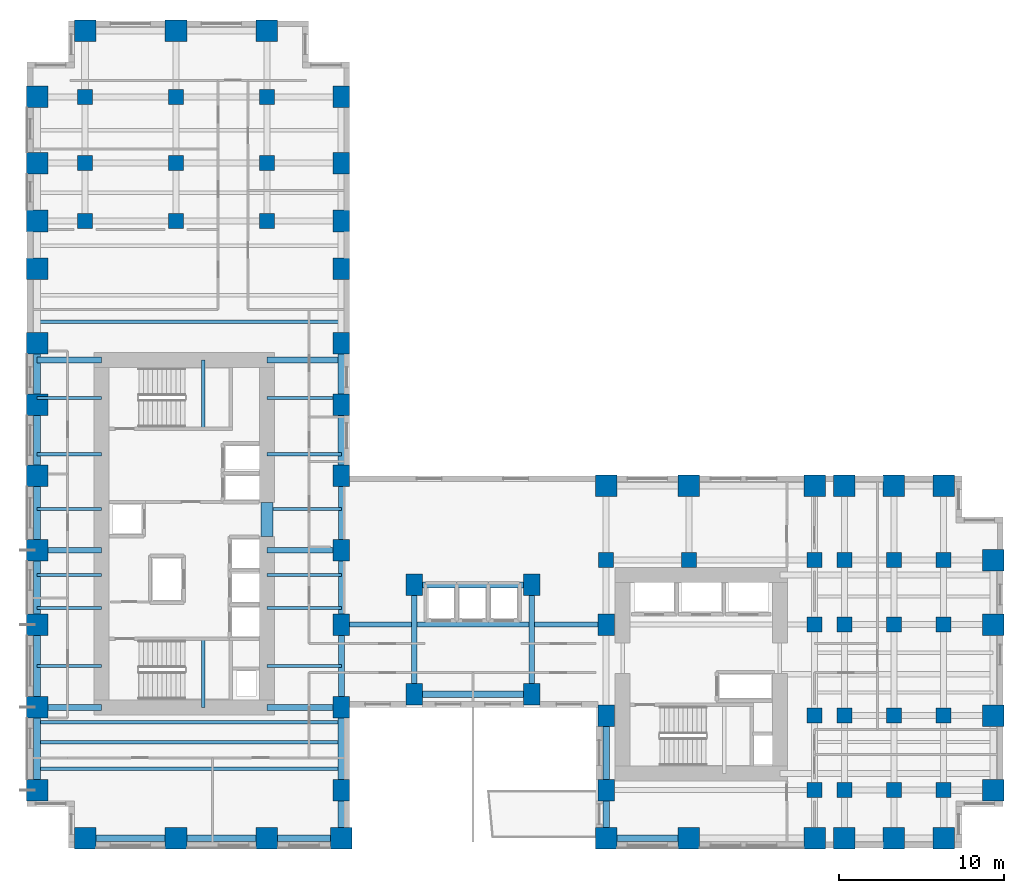
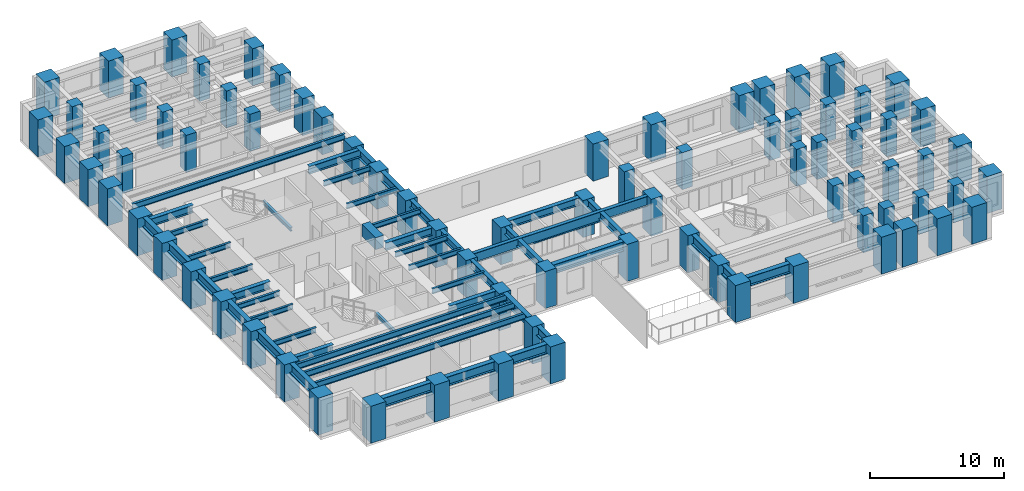
# One storey, part 1 of 13: 79 columns, 49 beams.
"""IFC4 building model written with IfcOpenShell, lengths in metres."""

from ifc_helpers import new_model, si_unit, direction, frame, origin, origin_2d, place, context, subcontext, project, spatial, rectangle, i_section, extrude, source, transform, mapped, material, material_profile, profile_set, type_object, element, save


model = new_model("IFC4")

# Units and contexts
model_context = context("Model", 3, precision=1e-05, world=origin(), true_north=direction((0.0, 1.0)))
body_context = subcontext(model_context, "Body", "Model", "MODEL_VIEW")
ifc_project = project(units=[si_unit("LENGTHUNIT", "METRE"), si_unit("AREAUNIT", "SQUARE_METRE"), si_unit("VOLUMEUNIT", "CUBIC_METRE"), si_unit("PLANEANGLEUNIT", "RADIAN"), si_unit("MASSUNIT", "GRAM", prefix="KILO")], contexts=[model_context])

# Site, building, storey
site_placement = place(None, origin())
site = spatial("IfcSite", under=ifc_project, at=site_placement, CompositionType="ELEMENT")
building_placement = place(site_placement, origin())
building = spatial("IfcBuilding", under=site, at=building_placement, Name="Kharzan Plaza Tower", CompositionType="ELEMENT")
storey_placement = place(building_placement, frame((0.0, 0.0, 47.699951171875)))
storey = spatial("IfcBuildingStorey", under=building, at=storey_placement, Name="L12", CompositionType="ELEMENT", Elevation=47.699951171875)

# Columns
ifc_material_1 = material(Name="Concrete C50/60", Category="concrete")
ifc_material_profile_1 = material_profile(ifc_material_1, rectangle(XDim=0.89990234375, YDim=0.89990234375, at=origin_2d()), Name="RC-IC900x900")
ifc_profile_set_1 = profile_set([ifc_material_profile_1], Name="Concrete C50/60")
column_type_1 = type_object("IfcColumnType", Name="COL-IC900", PredefinedType="COLUMN", material=ifc_profile_set_1)
shared_shape_1 = source(origin(), body_context, "Body", "SweptSolid", [
    extrude(rectangle(XDim=0.89990234375, YDim=0.89990234375, at=origin_2d()), origin(), (0.0, 0.0, 1.0), 3.380126953125),
])
for number, where, z_axis, x_axis, name in (
    (1, (47.60009765625, 13.5, 0.0), (0.0, 0.0, 1.0), (1.0, 0.0, 0.0), "L12 Structural Column TCBI-135"),
    (2, (47.60009765625, 3.5, 0.0), (0.0, 0.0, 1.0), (1.0, 0.0, 0.0), "L12 Structural Column TCBI-35"),
    (3, (47.60009765625, 8.0, 0.0), (0.0, 0.0, 1.0), (1.0, 0.0, 0.0), "L12 Structural Column TCBI-80"),
    (4, (35.0, 17.39990234375, 0.0), (0.0, 0.0, 1.0), (1.0, 0.0, 0.0), "L12 Structural Column TCBN-350-174"),
    (5, (40.0, 17.39990234375, 0.0), (0.0, 0.0, 1.0), (1.0, 0.0, 0.0), "L12 Structural Column TCBN-400-174"),
    (6, (47.60009765625, 17.39990234375, 0.0), (0.0, 0.0, 1.0), (1.0, 0.0, 0.0), "L12 Structural Column TCBN-476-174"),
    (7, (49.39990234375, 13.5, 0.0), (0.0, 0.0, 1.0), (1.0, 0.0, 0.0), "L12 Structural Column TCE-494-135"),
    (8, (49.39990234375, 17.39990234375, 0.0), (0.0, 0.0, 1.0), (1.0, 0.0, 0.0), "L12 Structural Column TCE-494-174"),
    (9, (49.39990234375, 3.5, 0.0), (0.0, 0.0, 1.0), (1.0, 0.0, 0.0), "L12 Structural Column TCE-494-35"),
    (10, (49.39990234375, 8.0, 0.0), (0.0, 0.0, 1.0), (1.0, 0.0, 0.0), "L12 Structural Column TCE-494-80"),
    (11, (52.39990234375, 13.5, 0.0), (0.0, 0.0, 1.0), (1.0, 0.0, 0.0), "L12 Structural Column TCE-524-135"),
    (12, (52.39990234375, 17.39990234375, 0.0), (0.0, 0.0, 1.0), (1.0, 0.0, 0.0), "L12 Structural Column TCE-524-174"),
    (13, (52.39990234375, 3.5, 0.0), (0.0, 0.0, 1.0), (1.0, 0.0, 0.0), "L12 Structural Column TCE-524-35"),
    (14, (52.39990234375, 8.0, 0.0), (0.0, 0.0, 1.0), (1.0, 0.0, 0.0), "L12 Structural Column TCE-524-80"),
    (15, (55.39990234375, 13.5, 0.0), (0.0, 0.0, 1.0), (1.0, 0.0, 0.0), "L12 Structural Column TCE-554-135"),
    (16, (55.39990234375, 17.39990234375, 0.0), (0.0, 0.0, 1.0), (1.0, 0.0, 0.0), "L12 Structural Column TCE-554-174"),
    (17, (55.39990234375, 3.5, 0.0), (0.0, 0.0, 1.0), (1.0, 0.0, 0.0), "L12 Structural Column TCE-554-35"),
    (18, (55.39990234375, 8.0, 0.0), (0.0, 0.0, 1.0), (1.0, 0.0, 0.0), "L12 Structural Column TCE-554-80"),
    (19, (14.5, 37.89990234375, 0.0), (0.0, 0.0, 1.0), (1.0, 0.0, 0.0), "L12 Structural Column TCN-145-379"),
    (20, (14.5, 41.39990234375, 0.0), (0.0, 0.0, 1.0), (1.0, 0.0, 0.0), "L12 Structural Column TCN-145-414"),
    (21, (14.5, 45.39990234375, 0.0), (0.0, 0.0, 1.0), (1.0, 0.0, 0.0), "L12 Structural Column TCN-145-454"),
    (22, (3.5, 37.89990234375, 0.0), (0.0, 0.0, 1.0), (1.0, 0.0, 0.0), "L12 Structural Column TCN-35-379"),
    (23, (3.5, 41.39990234375, 0.0), (0.0, 0.0, 1.0), (1.0, 0.0, 0.0), "L12 Structural Column TCN-35-414"),
    (24, (3.5, 45.39990234375, 0.0), (0.0, 0.0, 1.0), (1.0, 0.0, 0.0), "L12 Structural Column TCN-35-454"),
    (25, (9.0, 37.89990234375, 0.0), (0.0, 0.0, 1.0), (1.0, 0.0, 0.0), "L12 Structural Column TCN-90-379"),
    (26, (9.0, 41.39990234375, 0.0), (0.0, 0.0, 1.0), (1.0, 0.0, 0.0), "L12 Structural Column TCN-90-414"),
    (27, (9.0, 45.39990234375, 0.0), (0.0, 0.0, 1.0), (1.0, 0.0, 0.0), "L12 Structural Column TCN-90-454"),
):
    element("IfcColumn", number, at=place(storey_placement, frame(where, z_axis=z_axis, x_axis=x_axis)), inside=storey, type_object=column_type_1, Name=name, PredefinedType="COLUMN", context=body_context, shape_type="MappedRepresentation", body=[
        mapped(shared_shape_1, transform((0.0, 0.0, 0.0), x_axis=(1.0, 0.0, 0.0), y_axis=(0.0, 1.0, 0.0), z_axis=(0.0, 0.0, 1.0))),
    ])
ifc_material_2 = material(Name="Concrete C60/75", Category="concrete")
ifc_material_profile_2 = material_profile(ifc_material_2, rectangle(XDim=1.0, YDim=1.300048828125, at=origin_2d()), Name="RC-SC1300x1000")
ifc_profile_set_2 = profile_set([ifc_material_profile_2], Name="Concrete C60/75")
column_type_2 = type_object("IfcColumnType", Name="COL-SC1300", PredefinedType="COLUMN", material=ifc_profile_set_2)
shared_shape_2 = source(origin(), body_context, "Body", "SweptSolid", [
    extrude(rectangle(XDim=1.0, YDim=1.300048828125, at=origin_2d()), origin(), (0.0, 0.0, 1.0), 3.380126953125),
])
for number, where, z_axis, x_axis, name in (
    (28, (19.0, 13.5, 0.0), (0.0, 0.0, 1.0), (1.0, 0.0, 0.0), "L12 Structural Column TCA-135"),
    (29, (19.0, 18.0, 0.0), (0.0, 0.0, 1.0), (1.0, 0.0, 0.0), "L12 Structural Column TCA-180"),
    (30, (19.0, 22.5, 0.0), (0.0, 0.0, 1.0), (1.0, 0.0, 0.0), "L12 Structural Column TCA-225"),
    (31, (19.0, 26.800048828125, 0.0), (0.0, 0.0, 1.0), (1.0, 0.0, 0.0), "L12 Structural Column TCA-268"),
    (32, (19.0, 30.5, 0.0), (0.0, 0.0, 1.0), (1.0, 0.0, 0.0), "L12 Structural Column TCA-305"),
    (33, (19.0, 3.5, 0.0), (0.0, 0.0, 1.0), (1.0, 0.0, 0.0), "L12 Structural Column TCA-35"),
    (34, (19.0, 35.0, 0.0), (0.0, 0.0, 1.0), (1.0, 0.0, 0.0), "L12 Structural Column TCA-350"),
    (35, (19.0, 37.89990234375, 0.0), (0.0, 0.0, 1.0), (1.0, 0.0, 0.0), "L12 Structural Column TCA-379"),
    (36, (19.0, 41.39990234375, 0.0), (0.0, 0.0, 1.0), (1.0, 0.0, 0.0), "L12 Structural Column TCA-414"),
    (37, (19.0, 45.39990234375, 0.0), (0.0, 0.0, 1.0), (1.0, 0.0, 0.0), "L12 Structural Column TCA-454"),
    (38, (19.0, 8.5, 0.0), (0.0, 0.0, 1.0), (1.0, 0.0, 0.0), "L12 Structural Column TCA-85"),
    (39, (35.0, 13.5, 0.0), (0.0, 0.0, 1.0), (1.0, 0.0, 0.0), "L12 Structural Column TCBS-135"),
    (40, (35.0, 3.5, 0.0), (0.0, 0.0, 1.0), (1.0, 0.0, 0.0), "L12 Structural Column TCBS-35"),
    (41, (35.0, 8.0, 0.0), (0.0, 0.0, 1.0), (1.0, 0.0, 0.0), "L12 Structural Column TCBS-80"),
    (42, (23.39990234375, 15.89990234375, 0.0), (0.0, 0.0, 1.0), (1.0, 0.0, 0.0), "L12 Structural Column TCSP-234-159"),
    (43, (23.39990234375, 9.300048828125, 0.0), (0.0, 0.0, 1.0), (1.0, 0.0, 0.0), "L12 Structural Column TCSP-234-93"),
    (44, (30.5, 15.89990234375, 0.0), (0.0, 0.0, 1.0), (1.0, 0.0, 0.0), "L12 Structural Column TCSP-305-159"),
    (45, (30.5, 9.300048828125, 0.0), (0.0, 0.0, 1.0), (1.0, 0.0, 0.0), "L12 Structural Column TCSP-305-93"),
):
    element("IfcColumn", number, at=place(storey_placement, frame(where, z_axis=z_axis, x_axis=x_axis)), inside=storey, type_object=column_type_2, Name=name, PredefinedType="COLUMN", context=body_context, shape_type="MappedRepresentation", body=[
        mapped(shared_shape_2, transform((0.0, 0.0, 0.0), x_axis=(1.0, 0.0, 0.0), y_axis=(0.0, 1.0, 0.0), z_axis=(0.0, 0.0, 1.0))),
    ])
ifc_material_profile_3 = material_profile(ifc_material_2, rectangle(XDim=1.300048828125, YDim=1.300048828125, at=origin_2d()), Name="RC-TC1300x1300")
ifc_profile_set_3 = profile_set([ifc_material_profile_3], Name="Concrete C60/75")
column_type_3 = type_object("IfcColumnType", Name="COL-TC1300", PredefinedType="COLUMN", material=ifc_profile_set_3)
shared_shape_3 = source(origin(), body_context, "Body", "SweptSolid", [
    extrude(rectangle(XDim=1.300048828125, YDim=1.300048828125, at=origin_2d()), origin(), (0.0, 0.0, 1.0), 3.380126953125),
])
for number, where, z_axis, x_axis, name in (
    (46, (35.0, 21.89990234375, 0.0), (0.0, 0.0, 1.0), (1.0, 0.0, 0.0), "L12 Structural Column TCBN-350-219"),
    (47, (40.0, 21.89990234375, 0.0), (0.0, 0.0, 1.0), (1.0, 0.0, 0.0), "L12 Structural Column TCBN-400-219"),
    (48, (47.60009765625, 21.89990234375, 0.0), (0.0, 0.0, 1.0), (1.0, 0.0, 0.0), "L12 Structural Column TCBN-476-219"),
    (49, (49.39990234375, 21.89990234375, 0.0), (0.0, 0.0, 1.0), (1.0, 0.0, 0.0), "L12 Structural Column TCBN-494-219"),
    (50, (52.39990234375, 21.89990234375, 0.0), (0.0, 0.0, 1.0), (1.0, 0.0, 0.0), "L12 Structural Column TCBN-524-219"),
    (51, (55.39990234375, 21.89990234375, 0.0), (0.0, 0.0, 1.0), (1.0, 0.0, 0.0), "L12 Structural Column TCBN-554-219"),
    (52, (58.39990234375, 13.5, 0.0), (0.0, 0.0, 1.0), (1.0, 0.0, 0.0), "L12 Structural Column TCE-584-135"),
    (53, (58.39990234375, 17.39990234375, 0.0), (0.0, 0.0, 1.0), (1.0, 0.0, 0.0), "L12 Structural Column TCE-584-174"),
    (54, (58.39990234375, 3.5, 0.0), (0.0, 0.0, 1.0), (1.0, 0.0, 0.0), "L12 Structural Column TCE-584-35"),
    (55, (58.39990234375, 8.0, 0.0), (0.0, 0.0, 1.0), (1.0, 0.0, 0.0), "L12 Structural Column TCE-584-80"),
    (56, (14.5, 49.39990234375, 0.0), (0.0, 0.0, 1.0), (1.0, 0.0, 0.0), "L12 Structural Column TCN-145-494"),
    (57, (3.5, 49.39990234375, 0.0), (0.0, 0.0, 1.0), (1.0, 0.0, 0.0), "L12 Structural Column TCN-35-494"),
    (58, (9.0, 49.39990234375, 0.0), (0.0, 0.0, 1.0), (1.0, 0.0, 0.0), "L12 Structural Column TCN-90-494"),
    (59, (14.5, 0.60009765625, 0.0), (0.0, 0.0, 1.0), (1.0, 0.0, 0.0), "L12 Structural Column TCS-145"),
    (60, (19.0, 0.60009765625, 0.0), (0.0, 0.0, 1.0), (1.0, 0.0, 0.0), "L12 Structural Column TCS-190"),
    (61, (3.5, 0.60009765625, 0.0), (0.0, 0.0, 1.0), (1.0, 0.0, 0.0), "L12 Structural Column TCS-35"),
    (62, (35.0, 0.60009765625, 0.0), (0.0, 0.0, 1.0), (1.0, 0.0, 0.0), "L12 Structural Column TCS-350"),
    (63, (40.0, 0.60009765625, 0.0), (0.0, 0.0, 1.0), (1.0, 0.0, 0.0), "L12 Structural Column TCS-400"),
    (64, (47.60009765625, 0.60009765625, 0.0), (0.0, 0.0, 1.0), (1.0, 0.0, 0.0), "L12 Structural Column TCS-476"),
    (65, (49.39990234375, 0.60009765625, 0.0), (0.0, 0.0, 1.0), (1.0, 0.0, 0.0), "L12 Structural Column TCS-494"),
    (66, (52.39990234375, 0.60009765625, 0.0), (0.0, 0.0, 1.0), (1.0, 0.0, 0.0), "L12 Structural Column TCS-524"),
    (67, (55.39990234375, 0.60009765625, 0.0), (0.0, 0.0, 1.0), (1.0, 0.0, 0.0), "L12 Structural Column TCS-554"),
    (68, (9.0, 0.60009765625, 0.0), (0.0, 0.0, 1.0), (1.0, 0.0, 0.0), "L12 Structural Column TCS-90"),
    (69, (0.60009765625, 13.5, 0.0), (0.0, 0.0, 1.0), (1.0, 0.0, 0.0), "L12 Structural Column TCW-135"),
    (70, (0.60009765625, 18.0, 0.0), (0.0, 0.0, 1.0), (1.0, 0.0, 0.0), "L12 Structural Column TCW-180"),
    (71, (0.60009765625, 22.5, 0.0), (0.0, 0.0, 1.0), (1.0, 0.0, 0.0), "L12 Structural Column TCW-225"),
    (72, (0.60009765625, 26.800048828125, 0.0), (0.0, 0.0, 1.0), (1.0, 0.0, 0.0), "L12 Structural Column TCW-268"),
    (73, (0.60009765625, 30.5, 0.0), (0.0, 0.0, 1.0), (1.0, 0.0, 0.0), "L12 Structural Column TCW-305"),
    (74, (0.60009765625, 3.5, 0.0), (0.0, 0.0, 1.0), (1.0, 0.0, 0.0), "L12 Structural Column TCW-35"),
    (75, (0.60009765625, 35.0, 0.0), (0.0, 0.0, 1.0), (1.0, 0.0, 0.0), "L12 Structural Column TCW-350"),
    (76, (0.60009765625, 37.89990234375, 0.0), (0.0, 0.0, 1.0), (1.0, 0.0, 0.0), "L12 Structural Column TCW-379"),
    (77, (0.60009765625, 41.39990234375, 0.0), (0.0, 0.0, 1.0), (1.0, 0.0, 0.0), "L12 Structural Column TCW-414"),
    (78, (0.60009765625, 45.39990234375, 0.0), (0.0, 0.0, 1.0), (1.0, 0.0, 0.0), "L12 Structural Column TCW-454"),
    (79, (0.60009765625, 8.5, 0.0), (0.0, 0.0, 1.0), (1.0, 0.0, 0.0), "L12 Structural Column TCW-85"),
):
    element("IfcColumn", number, at=place(storey_placement, frame(where, z_axis=z_axis, x_axis=x_axis)), inside=storey, type_object=column_type_3, Name=name, PredefinedType="COLUMN", context=body_context, shape_type="MappedRepresentation", body=[
        mapped(shared_shape_3, transform((0.0, 0.0, 0.0), x_axis=(1.0, 0.0, 0.0), y_axis=(0.0, 1.0, 0.0), z_axis=(0.0, 0.0, 1.0))),
    ])

# Beams
ifc_material_profile_4 = material_profile(ifc_material_2, rectangle(XDim=0.699951171875, YDim=1.10009765625, at=origin_2d()), Name="RC-CB1100x700")
ifc_profile_set_4 = profile_set([ifc_material_profile_4], Name="Concrete C60/75")
beam_type_1 = type_object("IfcBeamType", Name="BM-RCCB1100", PredefinedType="LINTEL", material=ifc_profile_set_4)
shared_shape_4 = source(origin(), body_context, "Body", "SweptSolid", [
    extrude(rectangle(XDim=0.699951171875, YDim=1.10009765625, at=origin_2d()), origin(), (0.0, 0.0, 1.0), 2.059814453125),
])
beam_1_placement = place(storey_placement, frame((14.5, 18.820068359375, 2.830078125), z_axis=(0.0, 1.0, 0.0), x_axis=(-1.0, 0.0, 0.0)))
element("IfcBeam", 80, at=beam_1_placement, inside=storey, type_object=beam_type_1, Name="L12 CORE-A RC coupling beam CB1", PredefinedType="LINTEL", context=body_context, shape_type="MappedRepresentation", body=[
    mapped(shared_shape_4, transform((0.0, 0.0, 0.0), x_axis=(1.0, 0.0, 0.0), y_axis=(0.0, 1.0, 0.0), z_axis=(0.0, 0.0, 1.0))),
])
ifc_material_3 = material(Name="Steel S355", Category="steel")
ifc_material_profile_5 = material_profile(ifc_material_3, i_section(OverallWidth=0.205078125, OverallDepth=0.35400390625, WebThickness=0.009521484375, FlangeThickness=0.016845703125, at=origin_2d()), Name="W360x79")
ifc_profile_set_5 = profile_set([ifc_material_profile_5], Name="Steel S355")
beam_type_2 = type_object("IfcBeamType", Name="BM-LNT360", PredefinedType="LINTEL", material=ifc_profile_set_5)
shared_shape_5 = source(origin(), body_context, "Body", "SweptSolid", [
    extrude(i_section(OverallWidth=0.205078125, OverallDepth=0.35400390625, WebThickness=0.009521484375, FlangeThickness=0.016845703125, at=origin_2d()), origin(), (0.0, 0.0, 1.0), 4.155029296875),
])
for number, where, z_axis, x_axis, name in (
    (81, (10.64990234375, 8.5, 1.423095703125), (0.0, 1.0, 0.0), (-1.0, 0.0, 0.0), "L12 Stair ST-1 Half-Landing Beam"),
    (82, (10.64990234375, 25.344970703125, 1.423095703125), (0.0, 1.0, 0.0), (-1.0, 0.0, 0.0), "L12 Stair ST-2 Half-Landing Beam"),
):
    element("IfcBeam", number, at=place(storey_placement, frame(where, z_axis=z_axis, x_axis=x_axis)), inside=storey, type_object=beam_type_2, Name=name, PredefinedType="LINTEL", context=body_context, shape_type="MappedRepresentation", body=[
        mapped(shared_shape_5, transform((0.0, 0.0, 0.0), x_axis=(1.0, 0.0, 0.0), y_axis=(0.0, 1.0, 0.0), z_axis=(0.0, 0.0, 1.0))),
    ])
ifc_material_profile_6 = material_profile(ifc_material_3, i_section(OverallWidth=0.304931640625, OverallDepth=0.9189453125, WebThickness=0.017333984375, FlangeThickness=0.02783203125, at=origin_2d()), Name="W920x253")
ifc_profile_set_6 = profile_set([ifc_material_profile_6], Name="Steel S355")
beam_type_3 = type_object("IfcBeamType", Name="BM-FG920B", PredefinedType="BEAM", material=ifc_profile_set_6)
shared_shape_6 = source(origin(), body_context, "Body", "SweptSolid", [
    extrude(i_section(OverallWidth=0.304931640625, OverallDepth=0.9189453125, WebThickness=0.017333984375, FlangeThickness=0.02783203125, at=origin_2d()), origin(), (0.0, 0.0, 1.0), 16.0),
])
beam_2_placement = place(storey_placement, frame((19.0, 13.5, 2.920654296875), z_axis=(1.0, 0.0, 0.0), x_axis=(0.0, 1.0, 0.0)))
element("IfcBeam", 83, at=beam_2_placement, inside=storey, type_object=beam_type_3, Name="L12 Primary Floor Girder", PredefinedType="BEAM", context=body_context, shape_type="MappedRepresentation", body=[
    mapped(shared_shape_6, transform((0.0, 0.0, 0.0), x_axis=(1.0, 0.0, 0.0), y_axis=(0.0, 1.0, 0.0), z_axis=(0.0, 0.0, 1.0))),
])
ifc_material_profile_7 = material_profile(ifc_material_3, i_section(OverallWidth=0.35498046875, OverallDepth=0.695068359375, WebThickness=0.015380859375, FlangeThickness=0.02490234375, at=origin_2d()), Name="W690x217")
ifc_profile_set_7 = profile_set([ifc_material_profile_7], Name="Steel S355")
beam_type_4 = type_object("IfcBeamType", Name="BM-FG690A", PredefinedType="BEAM", material=ifc_profile_set_7)
shared_shape_7 = source(origin(), body_context, "Body", "SweptSolid", [
    extrude(i_section(OverallWidth=0.35498046875, OverallDepth=0.695068359375, WebThickness=0.015380859375, FlangeThickness=0.02490234375, at=origin_2d()), origin(), (0.0, 0.0, 1.0), 4.5),
])
for number, where, z_axis, x_axis, name in (
    (84, (14.5, 8.5, 3.032470703125), (1.0, 0.0, 0.0), (0.0, 1.0, 0.0), "L12 Core-A East Floor Girder 1"),
    (85, (14.5, 18.0, 3.032470703125), (1.0, 0.0, 0.0), (0.0, 1.0, 0.0), "L12 Core-A East Floor Girder 2"),
    (86, (14.5, 29.5, 3.032470703125), (1.0, 0.0, 0.0), (0.0, 1.0, 0.0), "L12 Core-A East Floor Girder 3"),
    (87, (19.0, 13.5, 3.032470703125), (0.0, 1.0, 0.0), (-1.0, 0.0, 0.0), "L12 Interior Frame Girder"),
    (88, (19.0, 18.0, 3.032470703125), (0.0, 1.0, 0.0), (-1.0, 0.0, 0.0), "L12 Interior Frame Girder"),
):
    element("IfcBeam", number, at=place(storey_placement, frame(where, z_axis=z_axis, x_axis=x_axis)), inside=storey, type_object=beam_type_4, Name=name, PredefinedType="BEAM", context=body_context, shape_type="MappedRepresentation", body=[
        mapped(shared_shape_7, transform((0.0, 0.0, 0.0), x_axis=(1.0, 0.0, 0.0), y_axis=(0.0, 1.0, 0.0), z_axis=(0.0, 0.0, 1.0))),
    ])
shared_shape_8 = source(origin(), body_context, "Body", "SweptSolid", [
    extrude(i_section(OverallWidth=0.35498046875, OverallDepth=0.695068359375, WebThickness=0.015380859375, FlangeThickness=0.02490234375, at=origin_2d()), origin(), (0.0, 0.0, 1.0), 3.89990234375),
])
for number, where, z_axis, x_axis, name in (
    (89, (0.60009765625, 8.5, 3.032470703125), (1.0, 0.0, 0.0), (0.0, 1.0, 0.0), "L12 Core-A West Floor Girder 1"),
    (90, (0.60009765625, 18.0, 3.032470703125), (1.0, 0.0, 0.0), (0.0, 1.0, 0.0), "L12 Core-A West Floor Girder 2"),
    (91, (0.60009765625, 29.5, 3.032470703125), (1.0, 0.0, 0.0), (0.0, 1.0, 0.0), "L12 Core-A West Floor Girder 3"),
):
    element("IfcBeam", number, at=place(storey_placement, frame(where, z_axis=z_axis, x_axis=x_axis)), inside=storey, type_object=beam_type_4, Name=name, PredefinedType="BEAM", context=body_context, shape_type="MappedRepresentation", body=[
        mapped(shared_shape_8, transform((0.0, 0.0, 0.0), x_axis=(1.0, 0.0, 0.0), y_axis=(0.0, 1.0, 0.0), z_axis=(0.0, 0.0, 1.0))),
    ])
shared_shape_9 = source(origin(), body_context, "Body", "SweptSolid", [
    extrude(i_section(OverallWidth=0.35498046875, OverallDepth=0.695068359375, WebThickness=0.015380859375, FlangeThickness=0.02490234375, at=origin_2d()), origin(), (0.0, 0.0, 1.0), 5.0),
])
beam_3_placement = place(storey_placement, frame((19.0, 8.5, 3.032470703125), z_axis=(0.0, 1.0, 0.0), x_axis=(-1.0, 0.0, 0.0)))
element("IfcBeam", 92, at=beam_3_placement, inside=storey, type_object=beam_type_4, Name="L12 Interior Frame Girder", PredefinedType="BEAM", context=body_context, shape_type="MappedRepresentation", body=[
    mapped(shared_shape_9, transform((0.0, 0.0, 0.0), x_axis=(1.0, 0.0, 0.0), y_axis=(0.0, 1.0, 0.0), z_axis=(0.0, 0.0, 1.0))),
])
shared_shape_10 = source(origin(), body_context, "Body", "SweptSolid", [
    extrude(i_section(OverallWidth=0.35498046875, OverallDepth=0.695068359375, WebThickness=0.015380859375, FlangeThickness=0.02490234375, at=origin_2d()), origin(), (0.0, 0.0, 1.0), 6.599853515625),
])
for number, where, z_axis, x_axis, name in (
    (93, (23.39990234375, 9.300048828125, 3.032470703125), (0.0, 1.0, 0.0), (-1.0, 0.0, 0.0), "L12 Interior Frame Girder"),
    (94, (30.5, 9.300048828125, 3.032470703125), (0.0, 1.0, 0.0), (-1.0, 0.0, 0.0), "L12 Interior Frame Girder"),
):
    element("IfcBeam", number, at=place(storey_placement, frame(where, z_axis=z_axis, x_axis=x_axis)), inside=storey, type_object=beam_type_4, Name=name, PredefinedType="BEAM", context=body_context, shape_type="MappedRepresentation", body=[
        mapped(shared_shape_10, transform((0.0, 0.0, 0.0), x_axis=(1.0, 0.0, 0.0), y_axis=(0.0, 1.0, 0.0), z_axis=(0.0, 0.0, 1.0))),
    ])
shared_shape_11 = source(origin(), body_context, "Body", "SweptSolid", [
    extrude(i_section(OverallWidth=0.35498046875, OverallDepth=0.695068359375, WebThickness=0.015380859375, FlangeThickness=0.02490234375, at=origin_2d()), origin(), (0.0, 0.0, 1.0), 7.10009765625),
])
beam_4_placement = place(storey_placement, frame((23.39990234375, 15.89990234375, 3.032470703125), z_axis=(1.0, 0.0, 0.0), x_axis=(0.0, 1.0, 0.0)))
element("IfcBeam", 95, at=beam_4_placement, inside=storey, type_object=beam_type_4, Name="L12 Primary Floor Girder", PredefinedType="BEAM", context=body_context, shape_type="MappedRepresentation", body=[
    mapped(shared_shape_11, transform((0.0, 0.0, 0.0), x_axis=(1.0, 0.0, 0.0), y_axis=(0.0, 1.0, 0.0), z_axis=(0.0, 0.0, 1.0))),
])
ifc_material_profile_8 = material_profile(ifc_material_3, i_section(OverallWidth=0.2099609375, OverallDepth=0.537109375, WebThickness=0.010986328125, FlangeThickness=0.017333984375, at=origin_2d()), Name="W530x101")
ifc_profile_set_8 = profile_set([ifc_material_profile_8], Name="Steel S355")
beam_type_5 = type_object("IfcBeamType", Name="BM-JST530B", PredefinedType="JOIST", material=ifc_profile_set_8)
shared_shape_12 = source(origin(), body_context, "Body", "SweptSolid", [
    extrude(i_section(OverallWidth=0.2099609375, OverallDepth=0.537109375, WebThickness=0.010986328125, FlangeThickness=0.017333984375, at=origin_2d()), origin(), (0.0, 0.0, 1.0), 18.39990234375),
])
for number, where, z_axis, x_axis, name in (
    (96, (0.60009765625, 4.800048828125, 3.111572265625), (1.0, 0.0, 0.0), (0.0, 1.0, 0.0), "L12 Wing A Composite Joist 01"),
    (97, (0.60009765625, 6.39990234375, 3.111572265625), (1.0, 0.0, 0.0), (0.0, 1.0, 0.0), "L12 Wing A Composite Joist 02"),
    (98, (0.60009765625, 7.60009765625, 3.111572265625), (1.0, 0.0, 0.0), (0.0, 1.0, 0.0), "L12 Wing A Composite Joist 03"),
    (99, (0.60009765625, 31.800048828125, 3.111572265625), (1.0, 0.0, 0.0), (0.0, 1.0, 0.0), "L12 Wing A Composite Joist 04"),
):
    element("IfcBeam", number, at=place(storey_placement, frame(where, z_axis=z_axis, x_axis=x_axis)), inside=storey, type_object=beam_type_5, Name=name, PredefinedType="JOIST", context=body_context, shape_type="MappedRepresentation", body=[
        mapped(shared_shape_12, transform((0.0, 0.0, 0.0), x_axis=(1.0, 0.0, 0.0), y_axis=(0.0, 1.0, 0.0), z_axis=(0.0, 0.0, 1.0))),
    ])
ifc_material_profile_9 = material_profile(ifc_material_3, i_section(OverallWidth=0.194091796875, OverallDepth=0.468994140625, WebThickness=0.011474609375, FlangeThickness=0.0205078125, at=origin_2d()), Name="W460x106")
ifc_profile_set_9 = profile_set([ifc_material_profile_9], Name="Steel S355")
beam_type_6 = type_object("IfcBeamType", Name="BM-JST460", PredefinedType="JOIST", material=ifc_profile_set_9)
shared_shape_13 = source(origin(), body_context, "Body", "SweptSolid", [
    extrude(i_section(OverallWidth=0.194091796875, OverallDepth=0.468994140625, WebThickness=0.011474609375, FlangeThickness=0.0205078125, at=origin_2d()), origin(), (0.0, 0.0, 1.0), 4.5),
])
for number, where, z_axis, x_axis, name in (
    (100, (14.5, 11.0, 3.1455078125), (1.0, 0.0, 0.0), (0.0, 1.0, 0.0), "L12 Wing A East Infill Joist 1"),
    (101, (14.5, 14.5, 3.1455078125), (1.0, 0.0, 0.0), (0.0, 1.0, 0.0), "L12 Wing A East Infill Joist 2"),
    (102, (14.5, 16.5, 3.1455078125), (1.0, 0.0, 0.0), (0.0, 1.0, 0.0), "L12 Wing A East Infill Joist 3"),
    (103, (14.5, 20.5, 3.1455078125), (1.0, 0.0, 0.0), (0.0, 1.0, 0.0), "L12 Wing A East Infill Joist 4"),
    (104, (14.5, 23.800048828125, 3.1455078125), (1.0, 0.0, 0.0), (0.0, 1.0, 0.0), "L12 Wing A East Infill Joist 5"),
    (105, (14.5, 27.199951171875, 3.1455078125), (1.0, 0.0, 0.0), (0.0, 1.0, 0.0), "L12 Wing A East Infill Joist 6"),
):
    element("IfcBeam", number, at=place(storey_placement, frame(where, z_axis=z_axis, x_axis=x_axis)), inside=storey, type_object=beam_type_6, Name=name, PredefinedType="JOIST", context=body_context, shape_type="MappedRepresentation", body=[
        mapped(shared_shape_13, transform((0.0, 0.0, 0.0), x_axis=(1.0, 0.0, 0.0), y_axis=(0.0, 1.0, 0.0), z_axis=(0.0, 0.0, 1.0))),
    ])
shared_shape_14 = source(origin(), body_context, "Body", "SweptSolid", [
    extrude(i_section(OverallWidth=0.194091796875, OverallDepth=0.468994140625, WebThickness=0.011474609375, FlangeThickness=0.0205078125, at=origin_2d()), origin(), (0.0, 0.0, 1.0), 3.89990234375),
])
for number, where, z_axis, x_axis, name in (
    (106, (0.60009765625, 11.0, 3.1455078125), (1.0, 0.0, 0.0), (0.0, 1.0, 0.0), "L12 Wing A West Infill Joist 1"),
    (107, (0.60009765625, 14.5, 3.1455078125), (1.0, 0.0, 0.0), (0.0, 1.0, 0.0), "L12 Wing A West Infill Joist 2"),
    (108, (0.60009765625, 16.5, 3.1455078125), (1.0, 0.0, 0.0), (0.0, 1.0, 0.0), "L12 Wing A West Infill Joist 3"),
    (109, (0.60009765625, 20.5, 3.1455078125), (1.0, 0.0, 0.0), (0.0, 1.0, 0.0), "L12 Wing A West Infill Joist 4"),
    (110, (0.60009765625, 23.800048828125, 3.1455078125), (1.0, 0.0, 0.0), (0.0, 1.0, 0.0), "L12 Wing A West Infill Joist 5"),
    (111, (0.60009765625, 27.199951171875, 3.1455078125), (1.0, 0.0, 0.0), (0.0, 1.0, 0.0), "L12 Wing A West Infill Joist 6"),
):
    element("IfcBeam", number, at=place(storey_placement, frame(where, z_axis=z_axis, x_axis=x_axis)), inside=storey, type_object=beam_type_6, Name=name, PredefinedType="JOIST", context=body_context, shape_type="MappedRepresentation", body=[
        mapped(shared_shape_14, transform((0.0, 0.0, 0.0), x_axis=(1.0, 0.0, 0.0), y_axis=(0.0, 1.0, 0.0), z_axis=(0.0, 0.0, 1.0))),
    ])
ifc_material_profile_10 = material_profile(ifc_material_3, i_section(OverallWidth=0.40087890625, OverallDepth=0.85498046875, WebThickness=0.018310546875, FlangeThickness=0.029296875, at=origin_2d()), Name="W840x299")
ifc_profile_set_10 = profile_set([ifc_material_profile_10], Name="Steel S355")
beam_type_7 = type_object("IfcBeamType", Name="BM-SP840A", PredefinedType="SPANDREL", material=ifc_profile_set_10)
shared_shape_15 = source(origin(), body_context, "Body", "SweptSolid", [
    extrude(i_section(OverallWidth=0.40087890625, OverallDepth=0.85498046875, WebThickness=0.018310546875, FlangeThickness=0.029296875, at=origin_2d()), origin(), (0.0, 0.0, 1.0), 5.0),
])
for number, where, z_axis, x_axis, name in (
    (112, (0.60009765625, 3.5, 2.95263671875), (0.0, 1.0, 0.0), (-1.0, 0.0, 0.0), "L12 Perimeter Tube Spandrel"),
    (113, (0.60009765625, 8.5, 2.95263671875), (0.0, 1.0, 0.0), (-1.0, 0.0, 0.0), "L12 Perimeter Tube Spandrel"),
    (114, (19.0, 3.5, 2.95263671875), (0.0, 1.0, 0.0), (-1.0, 0.0, 0.0), "L12 Perimeter Tube Spandrel"),
    (115, (35.0, 0.60009765625, 2.95263671875), (1.0, 0.0, 0.0), (0.0, 1.0, 0.0), "L12 Perimeter Tube Spandrel"),
):
    element("IfcBeam", number, at=place(storey_placement, frame(where, z_axis=z_axis, x_axis=x_axis)), inside=storey, type_object=beam_type_7, Name=name, PredefinedType="SPANDREL", context=body_context, shape_type="MappedRepresentation", body=[
        mapped(shared_shape_15, transform((0.0, 0.0, 0.0), x_axis=(1.0, 0.0, 0.0), y_axis=(0.0, 1.0, 0.0), z_axis=(0.0, 0.0, 1.0))),
    ])
shared_shape_16 = source(origin(), body_context, "Body", "SweptSolid", [
    extrude(i_section(OverallWidth=0.40087890625, OverallDepth=0.85498046875, WebThickness=0.018310546875, FlangeThickness=0.029296875, at=origin_2d()), origin(), (0.0, 0.0, 1.0), 4.5),
])
for number, where, z_axis, x_axis, name in (
    (116, (0.60009765625, 13.5, 2.95263671875), (0.0, 1.0, 0.0), (-1.0, 0.0, 0.0), "L12 Perimeter Tube Spandrel"),
    (117, (0.60009765625, 18.0, 2.95263671875), (0.0, 1.0, 0.0), (-1.0, 0.0, 0.0), "L12 Perimeter Tube Spandrel"),
    (118, (35.0, 3.5, 2.95263671875), (0.0, 1.0, 0.0), (-1.0, 0.0, 0.0), "L12 Perimeter Tube Spandrel"),
    (119, (14.5, 0.60009765625, 2.95263671875), (1.0, 0.0, 0.0), (0.0, 1.0, 0.0), "L12 Perimeter Tube Spandrel"),
):
    element("IfcBeam", number, at=place(storey_placement, frame(where, z_axis=z_axis, x_axis=x_axis)), inside=storey, type_object=beam_type_7, Name=name, PredefinedType="SPANDREL", context=body_context, shape_type="MappedRepresentation", body=[
        mapped(shared_shape_16, transform((0.0, 0.0, 0.0), x_axis=(1.0, 0.0, 0.0), y_axis=(0.0, 1.0, 0.0), z_axis=(0.0, 0.0, 1.0))),
    ])
shared_shape_17 = source(origin(), body_context, "Body", "SweptSolid", [
    extrude(i_section(OverallWidth=0.40087890625, OverallDepth=0.85498046875, WebThickness=0.018310546875, FlangeThickness=0.029296875, at=origin_2d()), origin(), (0.0, 0.0, 1.0), 4.300048828125),
])
for number, where, z_axis, x_axis, name in (
    (120, (0.60009765625, 22.5, 2.95263671875), (0.0, 1.0, 0.0), (-1.0, 0.0, 0.0), "L12 Perimeter Tube Spandrel"),
    (121, (19.0, 22.5, 2.95263671875), (0.0, 1.0, 0.0), (-1.0, 0.0, 0.0), "L12 Perimeter Tube Spandrel"),
):
    element("IfcBeam", number, at=place(storey_placement, frame(where, z_axis=z_axis, x_axis=x_axis)), inside=storey, type_object=beam_type_7, Name=name, PredefinedType="SPANDREL", context=body_context, shape_type="MappedRepresentation", body=[
        mapped(shared_shape_17, transform((0.0, 0.0, 0.0), x_axis=(1.0, 0.0, 0.0), y_axis=(0.0, 1.0, 0.0), z_axis=(0.0, 0.0, 1.0))),
    ])
shared_shape_18 = source(origin(), body_context, "Body", "SweptSolid", [
    extrude(i_section(OverallWidth=0.40087890625, OverallDepth=0.85498046875, WebThickness=0.018310546875, FlangeThickness=0.029296875, at=origin_2d()), origin(), (0.0, 0.0, 1.0), 3.699951171875),
])
for number, where, z_axis, x_axis, name in (
    (122, (0.60009765625, 26.800048828125, 2.95263671875), (0.0, 1.0, 0.0), (-1.0, 0.0, 0.0), "L12 Perimeter Tube Spandrel"),
    (123, (19.0, 26.800048828125, 2.95263671875), (0.0, 1.0, 0.0), (-1.0, 0.0, 0.0), "L12 Perimeter Tube Spandrel"),
):
    element("IfcBeam", number, at=place(storey_placement, frame(where, z_axis=z_axis, x_axis=x_axis)), inside=storey, type_object=beam_type_7, Name=name, PredefinedType="SPANDREL", context=body_context, shape_type="MappedRepresentation", body=[
        mapped(shared_shape_18, transform((0.0, 0.0, 0.0), x_axis=(1.0, 0.0, 0.0), y_axis=(0.0, 1.0, 0.0), z_axis=(0.0, 0.0, 1.0))),
    ])
shared_shape_19 = source(origin(), body_context, "Body", "SweptSolid", [
    extrude(i_section(OverallWidth=0.40087890625, OverallDepth=0.85498046875, WebThickness=0.018310546875, FlangeThickness=0.029296875, at=origin_2d()), origin(), (0.0, 0.0, 1.0), 2.89990234375),
])
for number, where, z_axis, x_axis, name in (
    (124, (19.0, 0.60009765625, 2.95263671875), (0.0, 1.0, 0.0), (-1.0, 0.0, 0.0), "L12 Perimeter Tube Spandrel"),
    (125, (35.0, 0.60009765625, 2.95263671875), (0.0, 1.0, 0.0), (-1.0, 0.0, 0.0), "L12 Perimeter Tube Spandrel"),
):
    element("IfcBeam", number, at=place(storey_placement, frame(where, z_axis=z_axis, x_axis=x_axis)), inside=storey, type_object=beam_type_7, Name=name, PredefinedType="SPANDREL", context=body_context, shape_type="MappedRepresentation", body=[
        mapped(shared_shape_19, transform((0.0, 0.0, 0.0), x_axis=(1.0, 0.0, 0.0), y_axis=(0.0, 1.0, 0.0), z_axis=(0.0, 0.0, 1.0))),
    ])
shared_shape_20 = source(origin(), body_context, "Body", "SweptSolid", [
    extrude(i_section(OverallWidth=0.40087890625, OverallDepth=0.85498046875, WebThickness=0.018310546875, FlangeThickness=0.029296875, at=origin_2d()), origin(), (0.0, 0.0, 1.0), 5.5),
])
for number, where, z_axis, x_axis, name in (
    (126, (3.5, 0.60009765625, 2.95263671875), (1.0, 0.0, 0.0), (0.0, 1.0, 0.0), "L12 Perimeter Tube Spandrel"),
    (127, (9.0, 0.60009765625, 2.95263671875), (1.0, 0.0, 0.0), (0.0, 1.0, 0.0), "L12 Perimeter Tube Spandrel"),
):
    element("IfcBeam", number, at=place(storey_placement, frame(where, z_axis=z_axis, x_axis=x_axis)), inside=storey, type_object=beam_type_7, Name=name, PredefinedType="SPANDREL", context=body_context, shape_type="MappedRepresentation", body=[
        mapped(shared_shape_20, transform((0.0, 0.0, 0.0), x_axis=(1.0, 0.0, 0.0), y_axis=(0.0, 1.0, 0.0), z_axis=(0.0, 0.0, 1.0))),
    ])
shared_shape_21 = source(origin(), body_context, "Body", "SweptSolid", [
    extrude(i_section(OverallWidth=0.40087890625, OverallDepth=0.85498046875, WebThickness=0.018310546875, FlangeThickness=0.029296875, at=origin_2d()), origin(), (0.0, 0.0, 1.0), 7.10009765625),
])
beam_5_placement = place(storey_placement, frame((23.39990234375, 9.300048828125, 2.95263671875), z_axis=(1.0, 0.0, 0.0), x_axis=(0.0, 1.0, 0.0)))
element("IfcBeam", 128, at=beam_5_placement, inside=storey, type_object=beam_type_7, Name="L12 Perimeter Tube Spandrel", PredefinedType="SPANDREL", context=body_context, shape_type="MappedRepresentation", body=[
    mapped(shared_shape_21, transform((0.0, 0.0, 0.0), x_axis=(1.0, 0.0, 0.0), y_axis=(0.0, 1.0, 0.0), z_axis=(0.0, 0.0, 1.0))),
])

save(model, "model.ifc")
